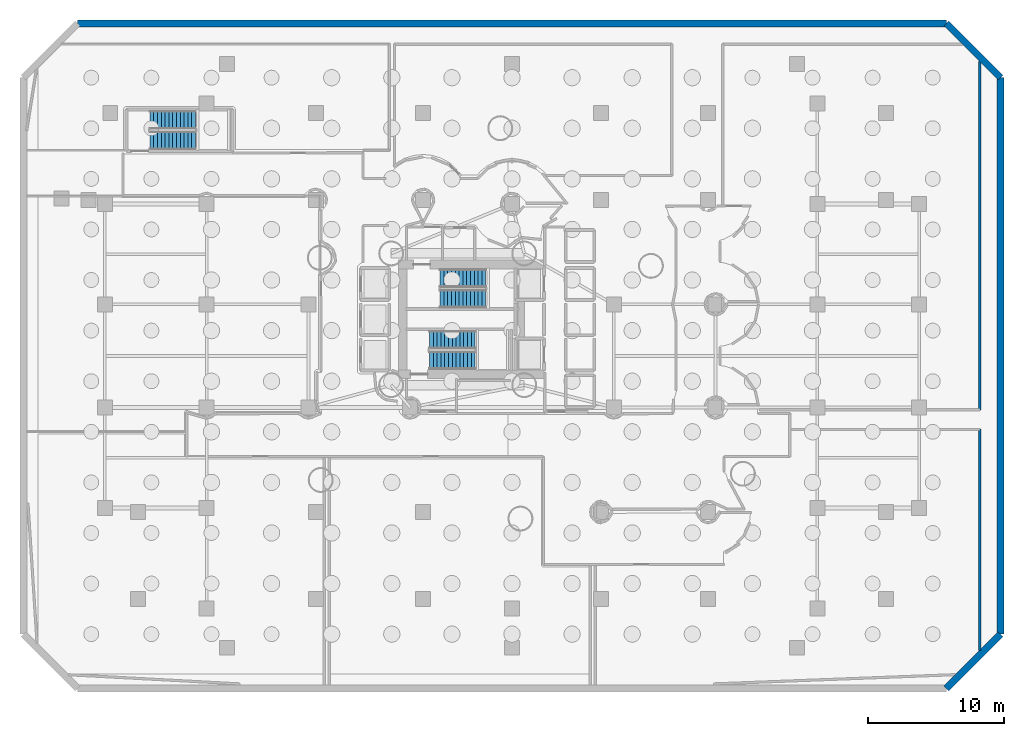
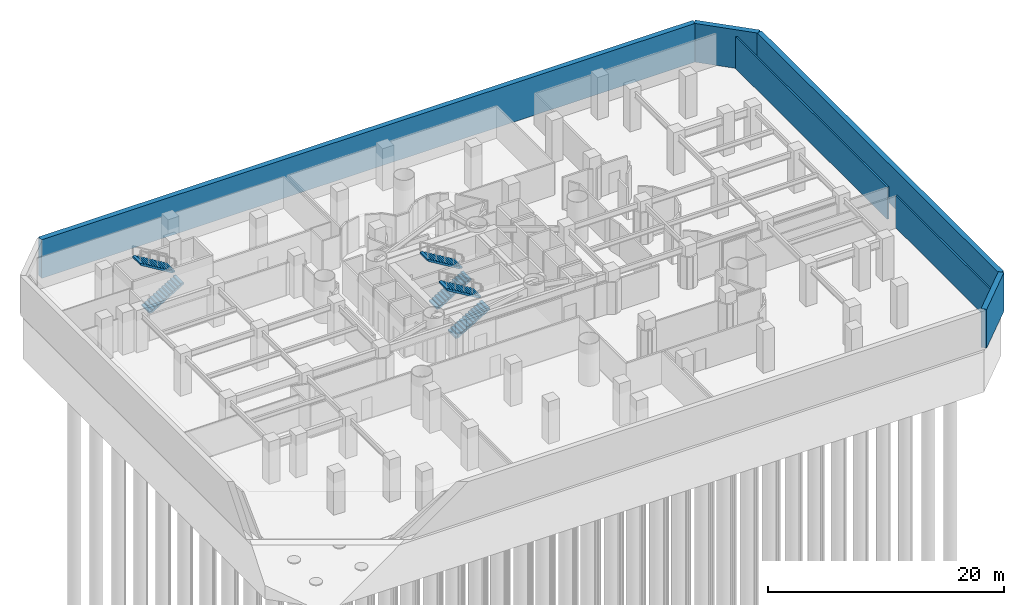
# One storey, part 7 of 13: 6 stair flights, 6 walls, 3 elements without a shape of their own.
"""IFC4 building model written with IfcOpenShell, lengths in metres."""

from ifc_helpers import new_model, si_unit, direction, frame, frame_2d, origin, place, context, subcontext, project, spatial, polyline, rectangle, outline, extrude, material, layer, layer_set, type_object, element, aggregate, save


model = new_model("IFC4")

# Units and contexts
model_context = context("Model", 3, precision=1e-05, world=origin(), true_north=direction((0.0, 1.0)))
body_context = subcontext(model_context, "Body", "Model", "MODEL_VIEW")
ifc_project = project(units=[si_unit("LENGTHUNIT", "METRE"), si_unit("AREAUNIT", "SQUARE_METRE"), si_unit("VOLUMEUNIT", "CUBIC_METRE"), si_unit("PLANEANGLEUNIT", "RADIAN"), si_unit("MASSUNIT", "GRAM", prefix="KILO")], contexts=[model_context])

# Site, building, storey
site_placement = place(None, origin())
site = spatial("IfcSite", under=ifc_project, at=site_placement, CompositionType="ELEMENT")
building_placement = place(site_placement, origin())
building = spatial("IfcBuilding", under=site, at=building_placement, Name="Qianvela Tower", CompositionType="ELEMENT")
storey_placement = place(building_placement, frame((0.0, 0.0, -10.0)))
storey = spatial("IfcBuildingStorey", under=building, at=storey_placement, Name="B02", CompositionType="ELEMENT", Elevation=-10.0)

# Walls
ifc_material_1 = material(Name="Fire-Rated Gypsum and Concrete Block", Category="concrete")
ifc_layer_1 = layer(ifc_material_1, 0.159912109375)
ifc_layer_set_1 = layer_set([ifc_layer_1], Name="Fire-Rated Gypsum and Concrete Block")
wall_type_1 = type_object("IfcWallType", Name="WT-CORR-160", PredefinedType="PARTITIONING", material=ifc_layer_set_1)
wall_1_placement = place(storey_placement, frame((71.968994140625, 47.6943359375, 0.0), z_axis=(0.0, 0.0, 1.0), x_axis=(0.0, -1.0, 0.0)))
element("IfcWall", 1, at=wall_1_placement, inside=storey, type_object=wall_type_1, Name="B02 Partition 228", PredefinedType="PARTITIONING", context=body_context, shape_type="SweptSolid", body=[
    extrude(rectangle(XDim=25.6943359375, YDim=0.159912109375, at=frame_2d((12.84716796875, 0.0))), origin(), (0.0, 0.0, 1.0), 3.320068359375),
])
wall_2_placement = place(storey_placement, frame((71.968994140625, 20.60009765625, 0.0), z_axis=(0.0, 0.0, 1.0), x_axis=(0.0, -1.0, 0.0)))
element("IfcWall", 2, at=wall_2_placement, inside=storey, type_object=wall_type_1, Name="B02 Partition 232", PredefinedType="PARTITIONING", context=body_context, shape_type="SweptSolid", body=[
    extrude(rectangle(XDim=16.29443359375, YDim=0.159912109375, at=frame_2d((8.147216796875, 0.0))), origin(), (0.0, 0.0, 1.0), 3.320068359375),
])
ifc_material_2 = material(Name="Waterproof Concrete C50", Category="concrete")
ifc_layer_2 = layer(ifc_material_2, 0.5)
ifc_layer_set_2 = layer_set([ifc_layer_2], Name="Waterproof Concrete C50")
wall_type_2 = type_object("IfcWallType", Name="WT-RET-500", PredefinedType="SOLIDWALL", material=ifc_layer_set_2)
wall_3_placement = place(storey_placement, frame((69.5, 1.5, 0.0), z_axis=(0.0, 0.0, 1.0), x_axis=(0.707106781187, 0.707106781187, 0.0)))
element("IfcWall", 3, at=wall_3_placement, inside=storey, type_object=wall_type_2, Name="B02 Perimeter Diaphragm Retaining Wall 2", PredefinedType="SOLIDWALL", context=body_context, shape_type="SweptSolid", body=[
    extrude(rectangle(XDim=5.65673828125, YDim=0.5, at=frame_2d((2.828369140625, 0.0))), origin(), (0.0, 0.0, 1.0), 4.0),
])
wall_4_placement = place(storey_placement, frame((73.5, 5.5, 0.0), z_axis=(0.0, 0.0, 1.0), x_axis=(0.0, 1.0, 0.0)))
element("IfcWall", 4, at=wall_4_placement, inside=storey, type_object=wall_type_2, Name="B02 Perimeter Diaphragm Retaining Wall 3", PredefinedType="SOLIDWALL", context=body_context, shape_type="SweptSolid", body=[
    extrude(rectangle(XDim=41.0, YDim=0.5, at=frame_2d((20.5, 0.0))), origin(), (0.0, 0.0, 1.0), 4.0),
])
wall_5_placement = place(storey_placement, frame((73.5, 46.5, 0.0), z_axis=(0.0, 0.0, 1.0), x_axis=(-0.707106781187, 0.707106781187, 0.0)))
element("IfcWall", 5, at=wall_5_placement, inside=storey, type_object=wall_type_2, Name="B02 Perimeter Diaphragm Retaining Wall 4", PredefinedType="SOLIDWALL", context=body_context, shape_type="SweptSolid", body=[
    extrude(rectangle(XDim=5.65673828125, YDim=0.5, at=frame_2d((2.828369140625, 0.0))), origin(), (0.0, 0.0, 1.0), 4.0),
])
wall_6_placement = place(storey_placement, frame((69.5, 50.5, 0.0), z_axis=(0.0, 0.0, 1.0), x_axis=(-1.0, 0.0, 0.0)))
element("IfcWall", 6, at=wall_6_placement, inside=storey, type_object=wall_type_2, Name="B02 Perimeter Diaphragm Retaining Wall 5", PredefinedType="SOLIDWALL", context=body_context, shape_type="SweptSolid", body=[
    extrude(rectangle(XDim=64.0, YDim=0.5, at=frame_2d((32.0, 0.0))), origin(), (0.0, 0.0, 1.0), 4.0),
])

# Stair, stair flights
ifc_material_3 = material(Name="Concrete C40", Category="concrete")
stair_type = type_object("IfcStairType", Name="ST-DOGLEG-1350-R169-N26", PredefinedType="HALF_TURN_STAIR", material=ifc_material_3)
stair_1_placement = place(storey_placement, origin())
stair_1 = element("IfcStair", 7, at=stair_1_placement, inside=storey, type_object=stair_type, Name="B02 Smoke-Proof Core Stair ST-1", PredefinedType="HALF_TURN_STAIR")
ifc_material_4 = material(Name="Concrete C40", Category="concrete")
stair_flight_type = type_object("IfcStairFlightType", Name="STF-STRAIGHT-R169-P13", PredefinedType="STRAIGHT", material=ifc_material_4)
stair_flight_1_placement = place(storey_placement, frame((32.199951171875, 30.215087890625, 0.0), z_axis=(0.0, 0.0, 1.0), x_axis=(1.0, 0.0, 0.0)))
stair_flight_1 = element("IfcStairFlight", 8, at=stair_flight_1_placement, type_object=stair_flight_type, Name="ST-1 flight 1", NumberOfRisers=13, NumberOfTreads=12, PredefinedType="STRAIGHT", RiserHeight=0.169230769, TreadLength=0.28, context=body_context, shape_type="SweptSolid", body=[
    extrude(outline(polyline([(0.0, 0.0), (0.0, 0.169189453125), (0.280029296875, 0.169189453125), (0.280029296875, 0.33837890625), (0.56005859375, 0.33837890625), (0.56005859375, 0.5078125), (0.840087890625, 0.5078125), (0.840087890625, 0.677001953125), (1.1201171875, 0.677001953125), (1.1201171875, 0.84619140625), (1.39990234375, 0.84619140625), (1.39990234375, 1.015380859375), (1.679931640625, 1.015380859375), (1.679931640625, 1.1845703125), (1.9599609375, 1.1845703125), (1.9599609375, 1.353759765625), (2.239990234375, 1.353759765625), (2.239990234375, 1.523193359375), (2.52001953125, 1.523193359375), (2.52001953125, 1.6923828125), (2.800048828125, 1.6923828125), (2.800048828125, 1.861572265625), (3.080078125, 1.861572265625), (3.080078125, 2.03076171875), (3.360107421875, 2.03076171875), (3.360107421875, 2.199951171875), (3.360107421875, 1.855712890625), (0.289794921875, 0.0), (0.0, 0.0)])), frame((0.0, 0.675048828125, 0.0), z_axis=(0.0, -1.0, 0.0), x_axis=(1.0, 0.0, 0.0)), (0.0, 0.0, 1.0), 1.35009765625),
])
stair_flight_2_placement = place(storey_placement, frame((35.56005859375, 31.72509765625, 2.199951171875), z_axis=(0.0, 0.0, 1.0), x_axis=(-1.0, 0.0, 0.0)))
stair_flight_2 = element("IfcStairFlight", 9, at=stair_flight_2_placement, type_object=stair_flight_type, Name="ST-1 flight 2", NumberOfRisers=13, NumberOfTreads=12, PredefinedType="STRAIGHT", RiserHeight=0.169230769, TreadLength=0.28, context=body_context, shape_type="SweptSolid", body=[
    extrude(outline(polyline([(0.0, 0.0), (0.0, 0.169189453125), (0.280029296875, 0.169189453125), (0.280029296875, 0.33837890625), (0.56005859375, 0.33837890625), (0.56005859375, 0.5078125), (0.840087890625, 0.5078125), (0.840087890625, 0.677001953125), (1.1201171875, 0.677001953125), (1.1201171875, 0.84619140625), (1.39990234375, 0.84619140625), (1.39990234375, 1.015380859375), (1.679931640625, 1.015380859375), (1.679931640625, 1.1845703125), (1.9599609375, 1.1845703125), (1.9599609375, 1.353759765625), (2.239990234375, 1.353759765625), (2.239990234375, 1.523193359375), (2.52001953125, 1.523193359375), (2.52001953125, 1.6923828125), (2.800048828125, 1.6923828125), (2.800048828125, 1.861572265625), (3.080078125, 1.861572265625), (3.080078125, 2.03076171875), (3.360107421875, 2.03076171875), (3.360107421875, 2.199951171875), (3.360107421875, 1.855712890625), (0.289794921875, 0.0), (0.0, 0.0)])), frame((0.0, 0.675048828125, 0.0), z_axis=(0.0, -1.0, 0.0), x_axis=(1.0, 0.0, 0.0)), (0.0, 0.0, 1.0), 1.35009765625),
])
aggregate(stair_1, [stair_flight_1, stair_flight_2])

stair_2_placement = place(storey_placement, origin())
stair_2 = element("IfcStair", 10, at=stair_2_placement, inside=storey, type_object=stair_type, Name="B02 Smoke-Proof Core Stair ST-2", PredefinedType="HALF_TURN_STAIR")
stair_flight_3_placement = place(storey_placement, frame((31.419921875, 25.675048828125, 0.0), z_axis=(0.0, 0.0, 1.0), x_axis=(1.0, 0.0, 0.0)))
stair_flight_3 = element("IfcStairFlight", 11, at=stair_flight_3_placement, type_object=stair_flight_type, Name="ST-2 flight 1", NumberOfRisers=13, NumberOfTreads=12, PredefinedType="STRAIGHT", RiserHeight=0.169230769, TreadLength=0.28, context=body_context, shape_type="SweptSolid", body=[
    extrude(outline(polyline([(0.0, 0.0), (0.0, 0.169189453125), (0.280029296875, 0.169189453125), (0.280029296875, 0.33837890625), (0.56005859375, 0.33837890625), (0.56005859375, 0.5078125), (0.840087890625, 0.5078125), (0.840087890625, 0.677001953125), (1.1201171875, 0.677001953125), (1.1201171875, 0.84619140625), (1.39990234375, 0.84619140625), (1.39990234375, 1.015380859375), (1.679931640625, 1.015380859375), (1.679931640625, 1.1845703125), (1.9599609375, 1.1845703125), (1.9599609375, 1.353759765625), (2.239990234375, 1.353759765625), (2.239990234375, 1.523193359375), (2.52001953125, 1.523193359375), (2.52001953125, 1.6923828125), (2.800048828125, 1.6923828125), (2.800048828125, 1.861572265625), (3.080078125, 1.861572265625), (3.080078125, 2.03076171875), (3.360107421875, 2.03076171875), (3.360107421875, 2.199951171875), (3.360107421875, 1.855712890625), (0.289794921875, 0.0), (0.0, 0.0)])), frame((0.0, 0.675048828125, 0.0), z_axis=(0.0, -1.0, 0.0), x_axis=(1.0, 0.0, 0.0)), (0.0, 0.0, 1.0), 1.35009765625),
])
stair_flight_4_placement = place(storey_placement, frame((34.780029296875, 27.18505859375, 2.199951171875), z_axis=(0.0, 0.0, 1.0), x_axis=(-1.0, 0.0, 0.0)))
stair_flight_4 = element("IfcStairFlight", 12, at=stair_flight_4_placement, type_object=stair_flight_type, Name="ST-2 flight 2", NumberOfRisers=13, NumberOfTreads=12, PredefinedType="STRAIGHT", RiserHeight=0.169230769, TreadLength=0.28, context=body_context, shape_type="SweptSolid", body=[
    extrude(outline(polyline([(0.0, 0.0), (0.0, 0.169189453125), (0.280029296875, 0.169189453125), (0.280029296875, 0.33837890625), (0.56005859375, 0.33837890625), (0.56005859375, 0.5078125), (0.840087890625, 0.5078125), (0.840087890625, 0.677001953125), (1.1201171875, 0.677001953125), (1.1201171875, 0.84619140625), (1.39990234375, 0.84619140625), (1.39990234375, 1.015380859375), (1.679931640625, 1.015380859375), (1.679931640625, 1.1845703125), (1.9599609375, 1.1845703125), (1.9599609375, 1.353759765625), (2.239990234375, 1.353759765625), (2.239990234375, 1.523193359375), (2.52001953125, 1.523193359375), (2.52001953125, 1.6923828125), (2.800048828125, 1.6923828125), (2.800048828125, 1.861572265625), (3.080078125, 1.861572265625), (3.080078125, 2.03076171875), (3.360107421875, 2.03076171875), (3.360107421875, 2.199951171875), (3.360107421875, 1.855712890625), (0.289794921875, 0.0), (0.0, 0.0)])), frame((0.0, 0.675048828125, 0.0), z_axis=(0.0, -1.0, 0.0), x_axis=(1.0, 0.0, 0.0)), (0.0, 0.0, 1.0), 1.35009765625),
])
aggregate(stair_2, [stair_flight_3, stair_flight_4])

stair_3_placement = place(storey_placement, origin())
stair_3 = element("IfcStair", 13, at=stair_3_placement, inside=storey, type_object=stair_type, Name="B02 Smoke-Proof Core Stair ST-3", PredefinedType="HALF_TURN_STAIR")
stair_flight_5_placement = place(storey_placement, frame((10.820068359375, 41.875, 0.0), z_axis=(0.0, 0.0, 1.0), x_axis=(1.0, 0.0, 0.0)))
stair_flight_5 = element("IfcStairFlight", 14, at=stair_flight_5_placement, type_object=stair_flight_type, Name="ST-3 flight 1", NumberOfRisers=13, NumberOfTreads=12, PredefinedType="STRAIGHT", RiserHeight=0.169230769, TreadLength=0.28, context=body_context, shape_type="SweptSolid", body=[
    extrude(outline(polyline([(0.0, 0.0), (0.0, 0.169189453125), (0.280029296875, 0.169189453125), (0.280029296875, 0.33837890625), (0.56005859375, 0.33837890625), (0.56005859375, 0.5078125), (0.840087890625, 0.5078125), (0.840087890625, 0.677001953125), (1.1201171875, 0.677001953125), (1.1201171875, 0.84619140625), (1.39990234375, 0.84619140625), (1.39990234375, 1.015380859375), (1.679931640625, 1.015380859375), (1.679931640625, 1.1845703125), (1.9599609375, 1.1845703125), (1.9599609375, 1.353759765625), (2.239990234375, 1.353759765625), (2.239990234375, 1.523193359375), (2.52001953125, 1.523193359375), (2.52001953125, 1.6923828125), (2.800048828125, 1.6923828125), (2.800048828125, 1.861572265625), (3.080078125, 1.861572265625), (3.080078125, 2.03076171875), (3.360107421875, 2.03076171875), (3.360107421875, 2.199951171875), (3.360107421875, 1.855712890625), (0.289794921875, 0.0), (0.0, 0.0)])), frame((0.0, 0.675048828125, 0.0), z_axis=(0.0, -1.0, 0.0), x_axis=(1.0, 0.0, 0.0)), (0.0, 0.0, 1.0), 1.35009765625),
])
stair_flight_6_placement = place(storey_placement, frame((14.179931640625, 43.385009765625, 2.199951171875), z_axis=(0.0, 0.0, 1.0), x_axis=(-1.0, 0.0, 0.0)))
stair_flight_6 = element("IfcStairFlight", 15, at=stair_flight_6_placement, type_object=stair_flight_type, Name="ST-3 flight 2", NumberOfRisers=13, NumberOfTreads=12, PredefinedType="STRAIGHT", RiserHeight=0.169230769, TreadLength=0.28, context=body_context, shape_type="SweptSolid", body=[
    extrude(outline(polyline([(0.0, 0.0), (0.0, 0.169189453125), (0.280029296875, 0.169189453125), (0.280029296875, 0.33837890625), (0.56005859375, 0.33837890625), (0.56005859375, 0.5078125), (0.840087890625, 0.5078125), (0.840087890625, 0.677001953125), (1.1201171875, 0.677001953125), (1.1201171875, 0.84619140625), (1.39990234375, 0.84619140625), (1.39990234375, 1.015380859375), (1.679931640625, 1.015380859375), (1.679931640625, 1.1845703125), (1.9599609375, 1.1845703125), (1.9599609375, 1.353759765625), (2.239990234375, 1.353759765625), (2.239990234375, 1.523193359375), (2.52001953125, 1.523193359375), (2.52001953125, 1.6923828125), (2.800048828125, 1.6923828125), (2.800048828125, 1.861572265625), (3.080078125, 1.861572265625), (3.080078125, 2.03076171875), (3.360107421875, 2.03076171875), (3.360107421875, 2.199951171875), (3.360107421875, 1.855712890625), (0.289794921875, 0.0), (0.0, 0.0)])), frame((0.0, 0.675048828125, 0.0), z_axis=(0.0, -1.0, 0.0), x_axis=(1.0, 0.0, 0.0)), (0.0, 0.0, 1.0), 1.35009765625),
])
aggregate(stair_3, [stair_flight_5, stair_flight_6])

save(model, "model.ifc")
